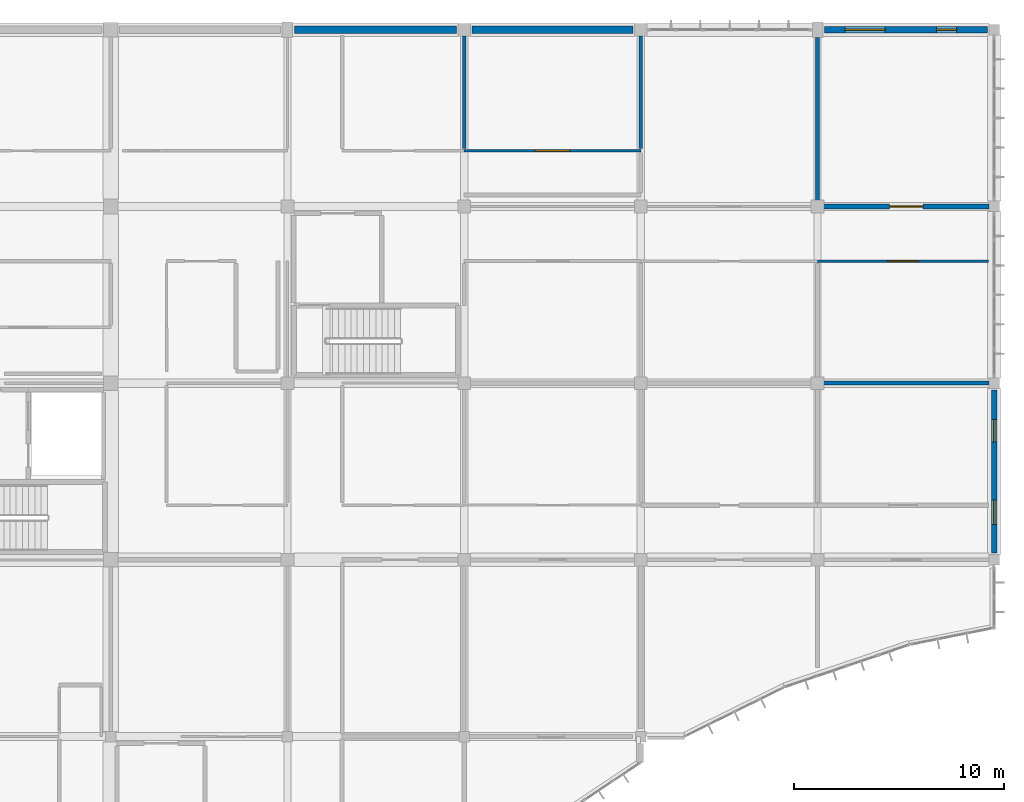
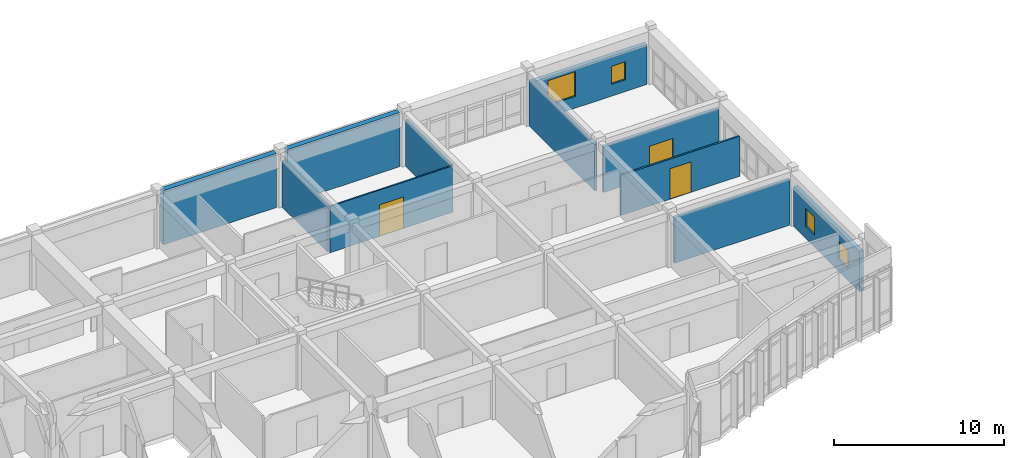
# One storey, part 100 of 119: 11 walls, 4 windows, 3 doors, 7 openings.
"""IFC4 building model written with IfcOpenShell, lengths in metres."""

from ifc_helpers import new_model, si_unit, direction, frame, frame_2d, origin, place, context, subcontext, project, spatial, rectangle, extrude, material, layer, layer_set, type_object, element, fill, save


model = new_model("IFC4")

# Units and contexts
model_context = context("Model", 3, precision=1e-05, world=origin(), true_north=direction((0.0, 1.0)))
body_context = subcontext(model_context, "Body", "Model", "MODEL_VIEW")
ifc_project = project(units=[si_unit("LENGTHUNIT", "METRE"), si_unit("AREAUNIT", "SQUARE_METRE"), si_unit("VOLUMEUNIT", "CUBIC_METRE"), si_unit("PLANEANGLEUNIT", "RADIAN"), si_unit("MASSUNIT", "GRAM", prefix="KILO")], contexts=[model_context])

# Site, building, storey
site_placement = place(None, origin())
site = spatial("IfcSite", under=ifc_project, at=site_placement, CompositionType="ELEMENT")
building_placement = place(site_placement, origin())
building = spatial("IfcBuilding", under=site, at=building_placement, Name="Bramfleet General Hospital", CompositionType="ELEMENT")
storey_placement = place(building_placement, frame((0.0, 0.0, 14.39990234375)))
storey = spatial("IfcBuildingStorey", under=building, at=storey_placement, Name="L03", CompositionType="ELEMENT", Elevation=14.39990234375)

# Walls
ifc_material_1 = material(Name="Concrete C35/45", Category="concrete")
ifc_layer_1 = layer(ifc_material_1, 0.360107421875, Name="WT-EW-02")
ifc_layer_set_1 = layer_set([ifc_layer_1], Name="Concrete C35/45")
wall_type_1 = type_object("IfcWallType", Name="WT-EW-02", PredefinedType="SOLIDWALL", material=ifc_layer_set_1)
wall_1_placement = place(storey_placement, frame((134.72509765625, 117.60009765625, 0.0), z_axis=(0.0, 0.0, 1.0), x_axis=(1.0, 0.0, 0.0)))
element("IfcWall", 1, at=wall_1_placement, inside=storey, type_object=wall_type_1, Name="L03 North REI 90-M Party Wall 253", PredefinedType="SOLIDWALL", context=body_context, shape_type="SweptSolid", body=[
    extrude(rectangle(XDim=7.699951171875, YDim=0.360107421875, at=frame_2d((3.85009765625, 0.0))), origin(), (0.0, 0.0, 1.0), 3.900146484375),
])
wall_2_placement = place(storey_placement, frame((143.175048828125, 117.60009765625, 0.0), z_axis=(0.0, 0.0, 1.0), x_axis=(1.0, 0.0, 0.0)))
element("IfcWall", 2, at=wall_2_placement, inside=storey, type_object=wall_type_1, Name="L03 North REI 90-M Party Wall 254", PredefinedType="SOLIDWALL", context=body_context, shape_type="SweptSolid", body=[
    extrude(rectangle(XDim=7.64990234375, YDim=0.360107421875, at=frame_2d((3.824951171875, 0.0))), origin(), (0.0, 0.0, 1.0), 3.900146484375),
])

# Wall, openings, windows
ifc_material_2 = material(Name="Precast concrete C40/50", Category="concrete")
ifc_layer_2 = layer(ifc_material_2, 0.294921875, Name="WT-EW-05")
ifc_layer_set_2 = layer_set([ifc_layer_2], Name="Precast concrete C40/50")
wall_type_2 = type_object("IfcWallType", Name="WT-EW-05", PredefinedType="SOLIDWALL", material=ifc_layer_set_2)
wall_3_placement = place(storey_placement, frame((159.925048828125, 117.60009765625, 0.0), z_axis=(0.0, 0.0, 1.0), x_axis=(1.0, 0.0, 0.0)))
wall_3 = element("IfcWall", 3, at=wall_3_placement, inside=storey, type_object=wall_type_2, Name="L03 Exterior Wall 255", PredefinedType="SOLIDWALL", context=body_context, shape_type="SweptSolid", body=[
    extrude(rectangle(XDim=7.75, YDim=0.294921875, at=frame_2d((3.875, 0.0))), origin(), (0.0, 0.0, 1.0), 2.89013671875),
])
opening_1_placement = place(wall_3_placement, frame((0.987548828125, 0.0, 0.85009765625)))
opening_1 = element("IfcOpeningElement", 4, at=opening_1_placement, cuts=wall_3, Name="Opening W-46", PredefinedType="OPENING", context=body_context, shape_type="SweptSolid", body=[
    extrude(rectangle(XDim=1.89990234375, YDim=1.780029296875, at=frame_2d((0.949951171875, 0.89013671875))), frame((0.0, 0.157470703125, 0.0), z_axis=(0.0, -1.0, 0.0), x_axis=(1.0, 0.0, 0.0)), (0.0, 0.0, 1.0), 0.31494140625),
])
opening_2_placement = place(wall_3_placement, frame((5.33740234375, 0.0, 0.85009765625)))
opening_2 = element("IfcOpeningElement", 5, at=opening_2_placement, cuts=wall_3, Name="Opening W-01", PredefinedType="OPENING", context=body_context, shape_type="SweptSolid", body=[
    extrude(rectangle(XDim=0.949951171875, YDim=1.300048828125, at=frame_2d((0.47509765625, 0.64990234375))), frame((0.0, 0.157470703125, 0.0), z_axis=(0.0, -1.0, 0.0), x_axis=(1.0, 0.0, 0.0)), (0.0, 0.0, 1.0), 0.31494140625),
])
ifc_material_3 = material(Name="Anodised aluminium and low-E triple glazing", Category="aluminium")
window_type_1 = type_object("IfcWindowType", Name="WIN-W-01", PartitioningType="SINGLE_PANEL", PredefinedType="WINDOW", material=ifc_material_3)
window_1_placement = place(opening_2_placement, origin())
window_1 = element("IfcWindow", 6, at=window_1_placement, inside=storey, type_object=window_type_1, Name="L03 Facade Window WIN-L03-255-2", OverallHeight=1.300048828125, OverallWidth=0.949951171875, PartitioningType="SINGLE_PANEL", PredefinedType="WINDOW", context=body_context, shape_type="SweptSolid", body=[
    extrude(rectangle(XDim=0.949951171875, YDim=1.300048828125, at=frame_2d((0.47509765625, 0.64990234375))), frame((0.0, 0.030029296875, 0.0), z_axis=(0.0, -1.0, 0.0), x_axis=(1.0, 0.0, 0.0)), (0.0, 0.0, 1.0), 0.06005859375),
])
fill(opening_2, window_1)
window_type_2 = type_object("IfcWindowType", Name="WIN-W-46", PartitioningType="SINGLE_PANEL", PredefinedType="WINDOW", material=ifc_material_3)
window_2_placement = place(opening_1_placement, origin())
window_2 = element("IfcWindow", 7, at=window_2_placement, inside=storey, type_object=window_type_2, Name="L03 Facade Window WIN-L03-255-1", OverallHeight=1.780029296875, OverallWidth=1.89990234375, PartitioningType="SINGLE_PANEL", PredefinedType="WINDOW", context=body_context, shape_type="SweptSolid", body=[
    extrude(rectangle(XDim=1.89990234375, YDim=1.780029296875, at=frame_2d((0.949951171875, 0.89013671875))), frame((0.0, 0.030029296875, 0.0), z_axis=(0.0, -1.0, 0.0), x_axis=(1.0, 0.0, 0.0)), (0.0, 0.0, 1.0), 0.06005859375),
])
fill(opening_1, window_2)

ifc_layer_3 = layer(ifc_material_2, 0.280029296875, Name="WT-EW-06")
ifc_layer_set_3 = layer_set([ifc_layer_3], Name="Precast concrete C40/50")
wall_type_3 = type_object("IfcWallType", Name="WT-EW-06", PredefinedType="SOLIDWALL", material=ifc_layer_set_3)
wall_4_placement = place(storey_placement, frame((168.0, 100.47509765625, 0.0), z_axis=(0.0, 0.0, 1.0), x_axis=(0.0, -1.0, 0.0)))
wall_4 = element("IfcWall", 8, at=wall_4_placement, inside=storey, type_object=wall_type_3, Name="L03 Exterior Wall 256", PredefinedType="SOLIDWALL", context=body_context, shape_type="SweptSolid", body=[
    extrude(rectangle(XDim=7.75, YDim=0.280029296875, at=frame_2d((3.875, 0.0))), origin(), (0.0, 0.0, 1.0), 2.89013671875),
])
opening_3_placement = place(wall_4_placement, frame((1.41259765625, 0.0, 0.85009765625)))
opening_3 = element("IfcOpeningElement", 9, at=opening_3_placement, cuts=wall_4, Name="Opening W-02", PredefinedType="OPENING", context=body_context, shape_type="SweptSolid", body=[
    extrude(rectangle(XDim=1.050048828125, YDim=1.300048828125, at=frame_2d((0.52490234375, 0.64990234375))), frame((0.0, 0.14990234375, 0.0), z_axis=(0.0, -1.0, 0.0), x_axis=(1.0, 0.0, 0.0)), (0.0, 0.0, 1.0), 0.300048828125),
])
opening_4_placement = place(wall_4_placement, frame((5.237548828125, 0.0, 0.85009765625)))
opening_4 = element("IfcOpeningElement", 10, at=opening_4_placement, cuts=wall_4, Name="Opening W-03", PredefinedType="OPENING", context=body_context, shape_type="SweptSolid", body=[
    extrude(rectangle(XDim=1.14990234375, YDim=1.300048828125, at=frame_2d((0.574951171875, 0.64990234375))), frame((0.0, 0.14990234375, 0.0), z_axis=(0.0, -1.0, 0.0), x_axis=(1.0, 0.0, 0.0)), (0.0, 0.0, 1.0), 0.300048828125),
])
window_type_3 = type_object("IfcWindowType", Name="WIN-W-02", PartitioningType="SINGLE_PANEL", PredefinedType="WINDOW", material=ifc_material_3)
window_3_placement = place(opening_3_placement, origin())
window_3 = element("IfcWindow", 11, at=window_3_placement, inside=storey, type_object=window_type_3, Name="L03 Facade Window WIN-L03-256-1", OverallHeight=1.300048828125, OverallWidth=1.050048828125, PartitioningType="SINGLE_PANEL", PredefinedType="WINDOW", context=body_context, shape_type="SweptSolid", body=[
    extrude(rectangle(XDim=1.050048828125, YDim=1.300048828125, at=frame_2d((0.52490234375, 0.64990234375))), frame((0.0, 0.030029296875, 0.0), z_axis=(0.0, -1.0, 0.0), x_axis=(1.0, 0.0, 0.0)), (0.0, 0.0, 1.0), 0.06005859375),
])
fill(opening_3, window_3)
window_type_4 = type_object("IfcWindowType", Name="WIN-W-03", PartitioningType="SINGLE_PANEL", PredefinedType="WINDOW", material=ifc_material_3)
window_4_placement = place(opening_4_placement, origin())
window_4 = element("IfcWindow", 12, at=window_4_placement, inside=storey, type_object=window_type_4, Name="L03 Facade Window WIN-L03-256-2", OverallHeight=1.300048828125, OverallWidth=1.14990234375, PartitioningType="SINGLE_PANEL", PredefinedType="WINDOW", context=body_context, shape_type="SweptSolid", body=[
    extrude(rectangle(XDim=1.14990234375, YDim=1.300048828125, at=frame_2d((0.574951171875, 0.64990234375))), frame((0.0, 0.030029296875, 0.0), z_axis=(0.0, -1.0, 0.0), x_axis=(1.0, 0.0, 0.0)), (0.0, 0.0, 1.0), 0.06005859375),
])
fill(opening_4, window_4)

# Wall, opening, door
ifc_layer_4 = layer(ifc_material_1, 0.219970703125, Name="WT-IW-01")
ifc_layer_set_4 = layer_set([ifc_layer_4], Name="Concrete C35/45")
wall_type_4 = type_object("IfcWallType", Name="WT-IW-01", PredefinedType="PARTITIONING", material=ifc_layer_set_4)
wall_5_placement = place(storey_placement, frame((159.89501953125, 109.199951171875, 0.0), z_axis=(0.0, 0.0, 1.0), x_axis=(1.0, 0.0, 0.0)))
wall_5 = element("IfcWall", 13, at=wall_5_placement, inside=storey, type_object=wall_type_4, Name="L03 Interior Partition IW-L03-2749", PredefinedType="PARTITIONING", context=body_context, shape_type="SweptSolid", body=[
    extrude(rectangle(XDim=7.85986328125, YDim=0.219970703125, at=frame_2d((3.929931640625, 0.0))), origin(), (0.0, 0.0, 1.0), 3.2900390625),
])
opening_5_placement = place(wall_5_placement, frame((3.1298828125, 0.0, 0.0)))
opening_5 = element("IfcOpeningElement", 14, at=opening_5_placement, cuts=wall_5, Name="Opening D1220", PredefinedType="OPENING", context=body_context, shape_type="SweptSolid", body=[
    extrude(rectangle(XDim=1.60009765625, YDim=2.25, at=frame_2d((0.800048828125, 1.125))), frame((0.0, 0.119873046875, 0.0), z_axis=(0.0, -1.0, 0.0), x_axis=(1.0, 0.0, 0.0)), (0.0, 0.0, 1.0), 0.239990234375),
])
ifc_material_4 = material(Name="Stainless steel and acoustic timber leaf", Category="steel")
door_type_1 = type_object("IfcDoorType", Name="DR-D-04", OperationType="NOTDEFINED", PredefinedType="DOOR", material=ifc_material_4)
door_1_placement = place(opening_5_placement, origin())
door_1 = element("IfcDoor", 15, at=door_1_placement, inside=storey, type_object=door_type_1, Name="Maternity Delivery Suite and Clinical Lab L03-1913 Door D1220", OperationType="DOUBLE_SWING_LEFT", OverallHeight=2.25, OverallWidth=1.60009765625, PredefinedType="DOOR", context=body_context, shape_type="SweptSolid", body=[
    extrude(rectangle(XDim=1.60009765625, YDim=2.25, at=frame_2d((0.800048828125, 1.125))), frame((0.0, 0.02490234375, 0.0), z_axis=(0.0, -1.0, 0.0), x_axis=(1.0, 0.0, 0.0)), (0.0, 0.0, 1.0), 0.050048828125),
])
fill(opening_5, door_1)

# Walls
ifc_layer_5 = layer(ifc_material_1, 0.18994140625, Name="WT-IW-03")
ifc_layer_set_5 = layer_set([ifc_layer_5], Name="Concrete C35/45")
wall_type_5 = type_object("IfcWallType", Name="WT-IW-03", PredefinedType="PARTITIONING", material=ifc_layer_set_5)
wall_6_placement = place(storey_placement, frame((159.89501953125, 100.800048828125, 0.0), z_axis=(0.0, 0.0, 1.0), x_axis=(1.0, 0.0, 0.0)))
element("IfcWall", 16, at=wall_6_placement, inside=storey, type_object=wall_type_5, Name="L03 Interior Partition IW-L03-2703", PredefinedType="PARTITIONING", context=body_context, shape_type="SweptSolid", body=[
    extrude(rectangle(XDim=7.85986328125, YDim=0.18994140625, at=frame_2d((3.929931640625, 0.0))), origin(), (0.0, 0.0, 1.0), 3.2900390625),
])
ifc_material_5 = material(Name="Gypsum plasterboard on acoustic steel studs", Category="steel")
ifc_layer_6 = layer(ifc_material_5, 0.169921875, Name="WT-IW-05")
ifc_layer_set_6 = layer_set([ifc_layer_6], Name="Gypsum plasterboard on acoustic steel studs")
wall_type_6 = type_object("IfcWallType", Name="WT-IW-05", PredefinedType="PARTITIONING", material=ifc_layer_set_6)
wall_7_placement = place(storey_placement, frame((159.60009765625, 109.4951171875, 0.0), z_axis=(0.0, 0.0, 1.0), x_axis=(0.0, 1.0, 0.0)))
element("IfcWall", 17, at=wall_7_placement, inside=storey, type_object=wall_type_6, Name="L03 Interior Partition IW-L03-3065", PredefinedType="PARTITIONING", context=body_context, shape_type="SweptSolid", body=[
    extrude(rectangle(XDim=7.73486328125, YDim=0.169921875, at=frame_2d((3.867431640625, 0.0))), origin(), (0.0, 0.0, 1.0), 3.340087890625),
])
ifc_layer_7 = layer(ifc_material_5, 0.159912109375, Name="WT-IW-06")
ifc_layer_set_7 = layer_set([ifc_layer_7], Name="Gypsum plasterboard on acoustic steel studs")
wall_type_7 = type_object("IfcWallType", Name="WT-IW-06", PredefinedType="PARTITIONING", material=ifc_layer_set_7)
for number, where, z_axis, x_axis, name in (
    (18, (142.800048828125, 111.965087890625, 0.0), (0.0, 0.0, 1.0), (0.0, 1.0, 0.0), "L03 Interior Partition IW-L03-3042"),
    (19, (151.199951171875, 111.965087890625, 0.0), (0.0, 0.0, 1.0), (0.0, 1.0, 0.0), "L03 Interior Partition IW-L03-3054"),
):
    element("IfcWall", number, at=place(storey_placement, frame(where, z_axis=z_axis, x_axis=x_axis)), inside=storey, type_object=wall_type_7, Name=name, PredefinedType="PARTITIONING", context=body_context, shape_type="SweptSolid", body=[
        extrude(rectangle(XDim=5.33984375, YDim=0.159912109375, at=frame_2d((2.669921875, 0.0))), origin(), (0.0, 0.0, 1.0), 3.340087890625),
    ])

# Wall, opening, door
ifc_layer_8 = layer(ifc_material_5, 0.1201171875, Name="WT-IW-10")
ifc_layer_set_8 = layer_set([ifc_layer_8], Name="Gypsum plasterboard on acoustic steel studs")
wall_type_8 = type_object("IfcWallType", Name="WT-IW-10", PredefinedType="PARTITIONING", material=ifc_layer_set_8)
wall_8_placement = place(storey_placement, frame((159.60009765625, 106.60009765625, 0.0), z_axis=(0.0, 0.0, 1.0), x_axis=(1.0, 0.0, 0.0)))
wall_8 = element("IfcWall", 20, at=wall_8_placement, inside=storey, type_object=wall_type_8, Name="L03 Interior Partition IW-L03-2734", PredefinedType="PARTITIONING", context=body_context, shape_type="SweptSolid", body=[
    extrude(rectangle(XDim=8.119873046875, YDim=0.1201171875, at=frame_2d((4.06005859375, 0.0))), origin(), (0.0, 0.0, 1.0), 2.89013671875),
])
opening_6_placement = place(wall_8_placement, frame((3.3349609375, 0.0, 0.0)))
opening_6 = element("IfcOpeningElement", 21, at=opening_6_placement, cuts=wall_8, Name="Opening D1219", PredefinedType="OPENING", context=body_context, shape_type="SweptSolid", body=[
    extrude(rectangle(XDim=1.449951171875, YDim=2.199951171875, at=frame_2d((0.72509765625, 1.10009765625))), frame((0.0, 0.070068359375, 0.0), z_axis=(0.0, -1.0, 0.0), x_axis=(1.0, 0.0, 0.0)), (0.0, 0.0, 1.0), 0.14013671875),
])
door_type_2 = type_object("IfcDoorType", Name="DR-D-03", OperationType="NOTDEFINED", PredefinedType="DOOR", material=ifc_material_4)
door_2_placement = place(opening_6_placement, origin())
door_2 = element("IfcDoor", 22, at=door_2_placement, inside=storey, type_object=door_type_2, Name="Maternity Delivery Suite and Clinical Lab L03-1912 Door D1219", OperationType="SINGLE_SWING_RIGHT", OverallHeight=2.199951171875, OverallWidth=1.449951171875, PredefinedType="DOOR", context=body_context, shape_type="SweptSolid", body=[
    extrude(rectangle(XDim=1.449951171875, YDim=2.199951171875, at=frame_2d((0.72509765625, 1.10009765625))), frame((0.0, 0.02490234375, 0.0), z_axis=(0.0, -1.0, 0.0), x_axis=(1.0, 0.0, 0.0)), (0.0, 0.0, 1.0), 0.050048828125),
])
fill(opening_6, door_2)

ifc_layer_9 = layer(ifc_material_5, 0.10009765625, Name="WT-IW-12")
ifc_layer_set_9 = layer_set([ifc_layer_9], Name="Gypsum plasterboard on acoustic steel studs")
wall_type_9 = type_object("IfcWallType", Name="WT-IW-12", PredefinedType="PARTITIONING", material=ifc_layer_set_9)
wall_9_placement = place(storey_placement, frame((142.800048828125, 111.85009765625, 0.0), z_axis=(0.0, 0.0, 1.0), x_axis=(1.0, 0.0, 0.0)))
wall_9 = element("IfcWall", 23, at=wall_9_placement, inside=storey, type_object=wall_type_9, Name="L03 Interior Partition IW-L03-2760", PredefinedType="PARTITIONING", context=body_context, shape_type="SweptSolid", body=[
    extrude(rectangle(XDim=8.39990234375, YDim=0.10009765625, at=frame_2d((4.199951171875, 0.0))), origin(), (0.0, 0.0, 1.0), 3.340087890625),
])
opening_7_placement = place(wall_9_placement, frame((3.3798828125, 0.0, 0.0)))
opening_7 = element("IfcOpeningElement", 24, at=opening_7_placement, cuts=wall_9, Name="Opening D1202", PredefinedType="OPENING", context=body_context, shape_type="SweptSolid", body=[
    extrude(rectangle(XDim=1.639892578125, YDim=2.280029296875, at=frame_2d((0.81982421875, 1.14013671875))), frame((0.0, 0.06005859375, 0.0), z_axis=(0.0, -1.0, 0.0), x_axis=(1.0, 0.0, 0.0)), (0.0, 0.0, 1.0), 0.1201171875),
])
door_type_3 = type_object("IfcDoorType", Name="DR-D-18", OperationType="NOTDEFINED", PredefinedType="DOOR", material=ifc_material_4)
door_3_placement = place(opening_7_placement, origin())
door_3 = element("IfcDoor", 25, at=door_3_placement, inside=storey, type_object=door_type_3, Name="Maternity Delivery Suite and Clinical Lab L03-1713 Door D1202", OperationType="DOUBLE_SWING_LEFT", OverallHeight=2.280029296875, OverallWidth=1.639892578125, PredefinedType="DOOR", context=body_context, shape_type="SweptSolid", body=[
    extrude(rectangle(XDim=1.639892578125, YDim=2.280029296875, at=frame_2d((0.81982421875, 1.14013671875))), frame((0.0, 0.02490234375, 0.0), z_axis=(0.0, -1.0, 0.0), x_axis=(1.0, 0.0, 0.0)), (0.0, 0.0, 1.0), 0.050048828125),
])
fill(opening_7, door_3)

save(model, "model.ifc")
